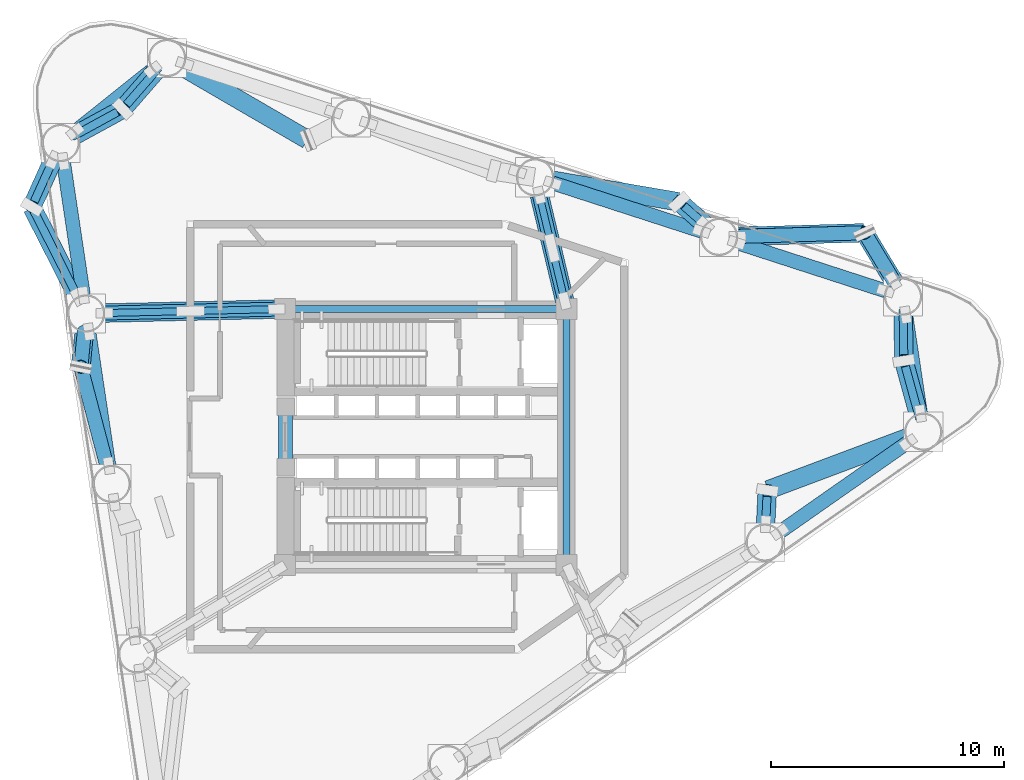
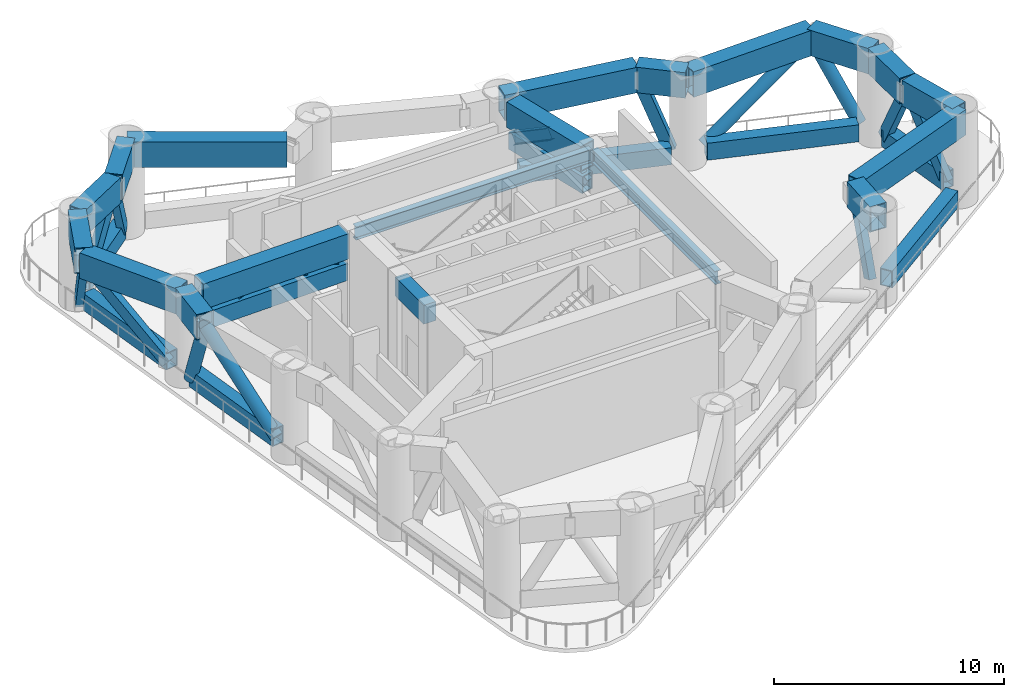
# One storey, part 2 of 8: 25 members, 19 beams.
"""IFC4 building model written with IfcOpenShell, lengths in metres."""

from ifc_helpers import new_model, si_unit, direction, frame, origin, origin_2d, place, context, subcontext, project, spatial, rectangle, hollow_rectangle, hollow_circle, i_section, extrude, source, transform, mapped, material, material_profile, profile_set, type_object, element, save


model = new_model("IFC4")

# Units and contexts
model_context = context("Model", 3, precision=1e-05, world=origin(), true_north=direction((0.0, 1.0)))
body_context = subcontext(model_context, "Body", "Model", "MODEL_VIEW")
ifc_project = project(units=[si_unit("LENGTHUNIT", "METRE"), si_unit("AREAUNIT", "SQUARE_METRE"), si_unit("VOLUMEUNIT", "CUBIC_METRE"), si_unit("PLANEANGLEUNIT", "RADIAN"), si_unit("MASSUNIT", "GRAM", prefix="KILO")], contexts=[model_context])

# Site, building, storey
site_placement = place(None, origin())
site = spatial("IfcSite", under=ifc_project, at=site_placement, CompositionType="ELEMENT")
building_placement = place(site_placement, origin())
building = spatial("IfcBuilding", under=site, at=building_placement, Name="Yunling Apex Tower", CompositionType="ELEMENT")
storey_placement = place(building_placement, frame((0.0, 0.0, 84.800048828125)))
storey = spatial("IfcBuildingStorey", under=building, at=storey_placement, Name="RF2", CompositionType="ELEMENT", Elevation=84.800048828125)

# Beams
ifc_material_1 = material(Name="Concrete C60", Category="concrete")
ifc_material_profile_1 = material_profile(ifc_material_1, rectangle(XDim=0.60009765625, YDim=1.0, at=origin_2d()))
ifc_profile_set_1 = profile_set([ifc_material_profile_1], Name="Concrete C60")
beam_type_1 = type_object("IfcBeamType", Name="BC-CPL-1", PredefinedType="BEAM", material=ifc_profile_set_1)
shared_shape_1 = source(origin(), body_context, "Body", "SweptSolid", [
    extrude(rectangle(XDim=0.60009765625, YDim=1.0, at=origin_2d()), origin(), (0.0, 0.0, 1.0), 2.5),
])
beam_1_placement = place(storey_placement, frame((-6.02490234375, -1.25, 4.4150390625), z_axis=(0.0, 1.0, 0.0), x_axis=(-1.0, 0.0, 0.0)))
element("IfcBeam", 1, at=beam_1_placement, inside=storey, type_object=beam_type_1, Name="RF2 Core West Portal Coupling Beam", PredefinedType="BEAM", context=body_context, shape_type="MappedRepresentation", body=[
    mapped(shared_shape_1, transform((0.0, 0.0, 0.0), scale=1.0)),
])
ifc_material_2 = material(Name="Steel Q355B", Category="steel")
ifc_material_profile_2 = material_profile(ifc_material_2, i_section(OverallWidth=0.300048828125, OverallDepth=0.699951171875, WebThickness=0.012939453125, FlangeThickness=0.02392578125, FilletRadius=0.02587890625, at=origin_2d()))
ifc_profile_set_2 = profile_set([ifc_material_profile_2], Name="Steel Q355B")
beam_type_2 = type_object("IfcBeamType", Name="BG-PRI-3", PredefinedType="USERDEFINED", material=ifc_profile_set_2)
shared_shape_2 = source(origin(), body_context, "Body", "SweptSolid", [
    extrude(i_section(OverallWidth=0.300048828125, OverallDepth=0.699951171875, WebThickness=0.012939453125, FlangeThickness=0.02392578125, FilletRadius=0.02587890625, at=origin_2d()), origin(), (0.0, 0.0, 1.0), 11.7998046875),
])
beam_2_placement = place(storey_placement, frame((5.89990234375, 5.5, 4.56494140625), z_axis=(-1.0, 0.0, 0.0), x_axis=(0.0, -1.0, 0.0)))
element("IfcBeam", 2, at=beam_2_placement, inside=storey, type_object=beam_type_2, Name="RF2 Core Ring Tie Beam 3", ObjectType="GIRDER", PredefinedType="USERDEFINED", context=body_context, shape_type="MappedRepresentation", body=[
    mapped(shared_shape_2, transform((0.0, 0.0, 0.0), scale=1.0)),
])
shared_shape_3 = source(origin(), body_context, "Body", "SweptSolid", [
    extrude(i_section(OverallWidth=0.300048828125, OverallDepth=0.699951171875, WebThickness=0.012939453125, FlangeThickness=0.02392578125, FilletRadius=0.02587890625, at=origin_2d()), origin(), (0.0, 0.0, 1.0), 10.7001953125),
])
beam_3_placement = place(storey_placement, frame((6.050048828125, -5.35009765625, 4.56494140625), z_axis=(0.0, 1.0, 0.0), x_axis=(-1.0, 0.0, 0.0)))
element("IfcBeam", 3, at=beam_3_placement, inside=storey, type_object=beam_type_2, Name="RF2 Core Ring Tie Beam 2", ObjectType="GIRDER", PredefinedType="USERDEFINED", context=body_context, shape_type="MappedRepresentation", body=[
    mapped(shared_shape_3, transform((0.0, 0.0, 0.0), scale=1.0)),
])

# Members
ifc_material_3 = material(Name="Steel Q390GJC", Category="steel")
ifc_material_profile_3 = material_profile(ifc_material_3, hollow_rectangle(XDim=0.60009765625, YDim=0.89990234375, WallThickness=0.0419921875, at=origin_2d()))
ifc_profile_set_3 = profile_set([ifc_material_profile_3], Name="Steel Q390GJC")
member_type_1 = type_object("IfcMemberType", Name="BT-CHD-1", PredefinedType="CHORD", material=ifc_profile_set_3)
shared_shape_4 = source(origin(), body_context, "Body", "SweptSolid", [
    extrude(hollow_rectangle(XDim=0.60009765625, YDim=0.89990234375, WallThickness=0.0419921875, at=origin_2d()), origin(), (0.0, 0.0, 1.0), 6.72509765625),
])
for number, where, z_axis, x_axis, name in (
    (4, (15.210693359375, -4.081787109375, 0.550048828125), (0.819530270202, 0.573035894358, 0.0), (-0.573035894358, 0.819530270202, 0.0), "RF2 Belt-Truss Bottom Chord 4"),
    (5, (19.75, 6.276611328125, 0.550048828125), (-0.951271754221, 0.308353773483, 0.0), (-0.308353773483, -0.951271754221, 0.0), "RF2 Belt-Truss Bottom Chord 6"),
    (6, (11.845703125, 8.8388671875, 0.550048828125), (-0.951271754221, 0.308353773483, 0.0), (-0.308353773483, -0.951271754221, 0.0), "RF2 Belt-Truss Bottom Chord 7"),
):
    element("IfcMember", number, at=place(storey_placement, frame(where, z_axis=z_axis, x_axis=x_axis)), inside=storey, type_object=member_type_1, Name=name, PredefinedType="CHORD", context=body_context, shape_type="MappedRepresentation", body=[
        mapped(shared_shape_4, transform((0.0, 0.0, 0.0), scale=1.0)),
    ])
shared_shape_5 = source(origin(), body_context, "Body", "SweptSolid", [
    extrude(hollow_rectangle(XDim=0.60009765625, YDim=0.89990234375, WallThickness=0.0419921875, at=origin_2d()), origin(), (0.0, 0.0, 1.0), 4.287109375),
])
member_1_placement = place(storey_placement, frame((21.254150390625, 1.009033203125, 0.550048828125), z_axis=(-0.147780693372, 0.989020154833, 0.0), x_axis=(-0.989020154833, -0.147780693372, 0.0)))
element("IfcMember", 7, at=member_1_placement, inside=storey, type_object=member_type_1, Name="RF2 Belt-Truss Bottom Chord 5", PredefinedType="CHORD", context=body_context, shape_type="MappedRepresentation", body=[
    mapped(shared_shape_5, transform((0.0, 0.0, 0.0), scale=1.0)),
])
shared_shape_6 = source(origin(), body_context, "Body", "SweptSolid", [
    extrude(hollow_rectangle(XDim=0.60009765625, YDim=0.89990234375, WallThickness=0.0419921875, at=origin_2d()), origin(), (0.0, 0.0, 1.0), 4.269775390625),
])
member_2_placement = place(storey_placement, frame((-11.73291015625, 15.787109375, 0.550048828125), z_axis=(-0.781571190786, -0.623816057611, 0.0), x_axis=(0.623816057611, -0.781571190786, 0.0)))
element("IfcMember", 8, at=member_2_placement, inside=storey, type_object=member_type_1, Name="RF2 Belt-Truss Bottom Chord 10", PredefinedType="CHORD", context=body_context, shape_type="MappedRepresentation", body=[
    mapped(shared_shape_6, transform((0.0, 0.0, 0.0), scale=1.0)),
])
shared_shape_7 = source(origin(), body_context, "Body", "SweptSolid", [
    extrude(hollow_rectangle(XDim=0.60009765625, YDim=0.89990234375, WallThickness=0.0419921875, at=origin_2d()), origin(), (0.0, 0.0, 1.0), 5.821044921875),
])
for number, where, z_axis, x_axis, name in (
    (9, (-15.572021484375, 11.84619140625, 0.550048828125), (0.147801039457, -0.989017114481, 0.0), (0.989017114481, 0.147801039457, 0.0), "RF2 Belt-Truss Bottom Chord 11"),
    (10, (-14.4775390625, 4.522705078125, 0.550048828125), (0.147801039457, -0.989017114481, 0.0), (0.989017114481, 0.147801039457, 0.0), "RF2 Belt-Truss Bottom Chord 12"),
):
    element("IfcMember", number, at=place(storey_placement, frame(where, z_axis=z_axis, x_axis=x_axis)), inside=storey, type_object=member_type_1, Name=name, PredefinedType="CHORD", context=body_context, shape_type="MappedRepresentation", body=[
        mapped(shared_shape_7, transform((0.0, 0.0, 0.0), scale=1.0)),
    ])

# Beams
ifc_material_profile_4 = material_profile(ifc_material_3, hollow_rectangle(XDim=0.800048828125, YDim=1.35009765625, WallThickness=0.050048828125, at=origin_2d()))
ifc_profile_set_4 = profile_set([ifc_material_profile_4], Name="Steel Q390GJC")
beam_type_3 = type_object("IfcBeamType", Name="BTRNG-1", PredefinedType="USERDEFINED", material=ifc_profile_set_4)
shared_shape_8 = source(origin(), body_context, "Body", "SweptSolid", [
    extrude(hollow_rectangle(XDim=0.800048828125, YDim=1.35009765625, WallThickness=0.050048828125, at=origin_2d()), origin(), (0.0, 0.0, 1.0), 2.171142578125),
])
beam_4_placement = place(storey_placement, frame((14.5634765625, -4.49560546875, 4.239990234375), z_axis=(0.049477719, 0.998775227628, 0.0), x_axis=(-0.998775227628, 0.049477719, 0.0)))
element("IfcBeam", 11, at=beam_4_placement, inside=storey, type_object=beam_type_3, Name="RF2 Panel-Split Box Ring Transfer Girder 13", ObjectType="GIRDER", PredefinedType="USERDEFINED", context=body_context, shape_type="MappedRepresentation", body=[
    mapped(shared_shape_8, transform((0.0, 0.0, 0.0), scale=1.0)),
])
shared_shape_9 = source(origin(), body_context, "Body", "SweptSolid", [
    extrude(hollow_rectangle(XDim=0.800048828125, YDim=1.35009765625, WallThickness=0.050048828125, at=origin_2d()), origin(), (0.0, 0.0, 1.0), 7.074462890625),
])
beam_5_placement = place(storey_placement, frame((14.710205078125, -2.273193359375, 4.239990234375), z_axis=(0.936269598044, 0.35128227934, 0.0), x_axis=(-0.35128227934, 0.936269598044, 0.0)))
element("IfcBeam", 12, at=beam_5_placement, inside=storey, type_object=beam_type_3, Name="RF2 Panel-Split Box Ring Transfer Girder 14", ObjectType="GIRDER", PredefinedType="USERDEFINED", context=body_context, shape_type="MappedRepresentation", body=[
    mapped(shared_shape_9, transform((0.0, 0.0, 0.0), scale=1.0)),
])
shared_shape_10 = source(origin(), body_context, "Body", "SweptSolid", [
    extrude(hollow_rectangle(XDim=0.800048828125, YDim=1.35009765625, WallThickness=0.050048828125, at=origin_2d()), origin(), (0.0, 0.0, 1.0), 3.07666015625),
])
beam_6_placement = place(storey_placement, frame((21.360595703125, 0.264404296875, 4.239990234375), z_axis=(-0.26407741272, 0.964501487864, 0.0), x_axis=(-0.964501487864, -0.26407741272, 0.0)))
element("IfcBeam", 13, at=beam_6_placement, inside=storey, type_object=beam_type_3, Name="RF2 Panel-Split Box Ring Transfer Girder 15", ObjectType="GIRDER", PredefinedType="USERDEFINED", context=body_context, shape_type="MappedRepresentation", body=[
    mapped(shared_shape_10, transform((0.0, 0.0, 0.0), scale=1.0)),
])
shared_shape_11 = source(origin(), body_context, "Body", "SweptSolid", [
    extrude(hollow_rectangle(XDim=0.800048828125, YDim=1.35009765625, WallThickness=0.050048828125, at=origin_2d()), origin(), (0.0, 0.0, 1.0), 2.68212890625),
])
beam_7_placement = place(storey_placement, frame((20.537109375, 3.310546875, 4.239990234375), z_axis=(-0.012379570173, 0.999923370185, 0.0), x_axis=(-0.999923370185, -0.012379570173, 0.0)))
element("IfcBeam", 14, at=beam_7_placement, inside=storey, type_object=beam_type_3, Name="RF2 Panel-Split Box Ring Transfer Girder 16", ObjectType="GIRDER", PredefinedType="USERDEFINED", context=body_context, shape_type="MappedRepresentation", body=[
    mapped(shared_shape_11, transform((0.0, 0.0, 0.0), scale=1.0)),
])
shared_shape_12 = source(origin(), body_context, "Body", "SweptSolid", [
    extrude(hollow_rectangle(XDim=0.800048828125, YDim=1.35009765625, WallThickness=0.050048828125, at=origin_2d()), origin(), (0.0, 0.0, 1.0), 3.1181640625),
])
beam_8_placement = place(storey_placement, frame((20.48291015625, 6.066650390625, 4.239990234375), z_axis=(-0.515416577293, 0.856939759756, 0.0), x_axis=(-0.856939759756, -0.515416577293, 0.0)))
element("IfcBeam", 15, at=beam_8_placement, inside=storey, type_object=beam_type_3, Name="RF2 Panel-Split Box Ring Transfer Girder 17", ObjectType="GIRDER", PredefinedType="USERDEFINED", context=body_context, shape_type="MappedRepresentation", body=[
    mapped(shared_shape_12, transform((0.0, 0.0, 0.0), scale=1.0)),
])
shared_shape_13 = source(origin(), body_context, "Body", "SweptSolid", [
    extrude(hollow_rectangle(XDim=0.800048828125, YDim=1.35009765625, WallThickness=0.050048828125, at=origin_2d()), origin(), (0.0, 0.0, 1.0), 6.178466796875),
])
beam_9_placement = place(storey_placement, frame((18.815185546875, 8.77197265625, 4.239990234375), z_axis=(-0.999592956213, -0.028529316298, 0.0), x_axis=(0.028529316298, -0.999592956213, 0.0)))
element("IfcBeam", 16, at=beam_9_placement, inside=storey, type_object=beam_type_3, Name="RF2 Panel-Split Box Ring Transfer Girder 18", ObjectType="GIRDER", PredefinedType="USERDEFINED", context=body_context, shape_type="MappedRepresentation", body=[
    mapped(shared_shape_13, transform((0.0, 0.0, 0.0), scale=1.0)),
])
shared_shape_14 = source(origin(), body_context, "Body", "SweptSolid", [
    extrude(hollow_rectangle(XDim=0.800048828125, YDim=1.35009765625, WallThickness=0.050048828125, at=origin_2d()), origin(), (0.0, 0.0, 1.0), 2.201904296875),
])
beam_10_placement = place(storey_placement, frame((12.569091796875, 8.62109375, 4.239990234375), z_axis=(-0.751104916435, 0.660182856872, 0.0), x_axis=(-0.660182856872, -0.751104916435, 0.0)))
element("IfcBeam", 17, at=beam_10_placement, inside=storey, type_object=beam_type_3, Name="RF2 Panel-Split Box Ring Transfer Girder 19", ObjectType="GIRDER", PredefinedType="USERDEFINED", context=body_context, shape_type="MappedRepresentation", body=[
    mapped(shared_shape_14, transform((0.0, 0.0, 0.0), scale=1.0)),
])
shared_shape_15 = source(origin(), body_context, "Body", "SweptSolid", [
    extrude(hollow_rectangle(XDim=0.800048828125, YDim=1.35009765625, WallThickness=0.050048828125, at=origin_2d()), origin(), (0.0, 0.0, 1.0), 6.2001953125),
])
beam_11_placement = place(storey_placement, frame((10.845947265625, 10.107666015625, 4.239990234375), z_axis=(-0.985763180281, 0.168139681226, 0.0), x_axis=(-0.168139681226, -0.985763180281, 0.0)))
element("IfcBeam", 18, at=beam_11_placement, inside=storey, type_object=beam_type_3, Name="RF2 Panel-Split Box Ring Transfer Girder 20", ObjectType="GIRDER", PredefinedType="USERDEFINED", context=body_context, shape_type="MappedRepresentation", body=[
    mapped(shared_shape_15, transform((0.0, 0.0, 0.0), scale=1.0)),
])
shared_shape_16 = source(origin(), body_context, "Body", "SweptSolid", [
    extrude(hollow_rectangle(XDim=0.800048828125, YDim=1.35009765625, WallThickness=0.050048828125, at=origin_2d()), origin(), (0.0, 0.0, 1.0), 6.9296875),
])
beam_12_placement = place(storey_placement, frame((-5.089111328125, 12.777099609375, 4.239990234375), z_axis=(-0.864417102749, 0.502775369797, 0.0), x_axis=(-0.502775369797, -0.864417102749, 0.0)))
element("IfcBeam", 19, at=beam_12_placement, inside=storey, type_object=beam_type_3, Name="RF2 Panel-Split Box Ring Transfer Girder 24", ObjectType="GIRDER", PredefinedType="USERDEFINED", context=body_context, shape_type="MappedRepresentation", body=[
    mapped(shared_shape_16, transform((0.0, 0.0, 0.0), scale=1.0)),
])
shared_shape_17 = source(origin(), body_context, "Body", "SweptSolid", [
    extrude(hollow_rectangle(XDim=0.800048828125, YDim=1.35009765625, WallThickness=0.050048828125, at=origin_2d()), origin(), (0.0, 0.0, 1.0), 2.830810546875),
])
beam_13_placement = place(storey_placement, frame((-11.140380859375, 16.251220703125, 4.239990234375), z_axis=(-0.656236364242, -0.754555388455, 0.0), x_axis=(0.754555388455, -0.656236364242, 0.0)))
element("IfcBeam", 20, at=beam_13_placement, inside=storey, type_object=beam_type_3, Name="RF2 Panel-Split Box Ring Transfer Girder 25", ObjectType="GIRDER", PredefinedType="USERDEFINED", context=body_context, shape_type="MappedRepresentation", body=[
    mapped(shared_shape_17, transform((0.0, 0.0, 0.0), scale=1.0)),
])
shared_shape_18 = source(origin(), body_context, "Body", "SweptSolid", [
    extrude(hollow_rectangle(XDim=0.800048828125, YDim=1.35009765625, WallThickness=0.050048828125, at=origin_2d()), origin(), (0.0, 0.0, 1.0), 2.95654296875),
])
beam_14_placement = place(storey_placement, frame((-13.059326171875, 14.06591796875, 4.239990234375), z_axis=(-0.87762087558, -0.479355399204, 0.0), x_axis=(0.479355399204, -0.87762087558, 0.0)))
element("IfcBeam", 21, at=beam_14_placement, inside=storey, type_object=beam_type_3, Name="RF2 Panel-Split Box Ring Transfer Girder 26", ObjectType="GIRDER", PredefinedType="USERDEFINED", context=body_context, shape_type="MappedRepresentation", body=[
    mapped(shared_shape_18, transform((0.0, 0.0, 0.0), scale=1.0)),
])
shared_shape_19 = source(origin(), body_context, "Body", "SweptSolid", [
    extrude(hollow_rectangle(XDim=0.800048828125, YDim=1.35009765625, WallThickness=0.050048828125, at=origin_2d()), origin(), (0.0, 0.0, 1.0), 2.932373046875),
])
beam_15_placement = place(storey_placement, frame((-15.70556640625, 12.593017578125, 4.239990234375), z_axis=(-0.411122675458, -0.911580027054, 0.0), x_axis=(0.911580027054, -0.411122675458, 0.0)))
element("IfcBeam", 22, at=beam_15_placement, inside=storey, type_object=beam_type_3, Name="RF2 Panel-Split Box Ring Transfer Girder 27", ObjectType="GIRDER", PredefinedType="USERDEFINED", context=body_context, shape_type="MappedRepresentation", body=[
    mapped(shared_shape_19, transform((0.0, 0.0, 0.0), scale=1.0)),
])
shared_shape_20 = source(origin(), body_context, "Body", "SweptSolid", [
    extrude(hollow_rectangle(XDim=0.800048828125, YDim=1.35009765625, WallThickness=0.050048828125, at=origin_2d()), origin(), (0.0, 0.0, 1.0), 5.0576171875),
])
beam_16_placement = place(storey_placement, frame((-16.909423828125, 9.84765625, 4.239990234375), z_axis=(0.454093537926, -0.890954016105, 0.0), x_axis=(0.890954016105, 0.454093537926, 0.0)))
element("IfcBeam", 23, at=beam_16_placement, inside=storey, type_object=beam_type_3, Name="RF2 Panel-Split Box Ring Transfer Girder 28", ObjectType="GIRDER", PredefinedType="USERDEFINED", context=body_context, shape_type="MappedRepresentation", body=[
    mapped(shared_shape_20, transform((0.0, 0.0, 0.0), scale=1.0)),
])
shared_shape_21 = source(origin(), body_context, "Body", "SweptSolid", [
    extrude(hollow_rectangle(XDim=0.800048828125, YDim=1.35009765625, WallThickness=0.050048828125, at=origin_2d()), origin(), (0.0, 0.0, 1.0), 2.239501953125),
])
beam_17_placement = place(storey_placement, frame((-14.598388671875, 5.26611328125, 4.239990234375), z_axis=(-0.098327202734, -0.995154139419, 0.0), x_axis=(0.995154139419, -0.098327202734, 0.0)))
element("IfcBeam", 24, at=beam_17_placement, inside=storey, type_object=beam_type_3, Name="RF2 Panel-Split Box Ring Transfer Girder 29", ObjectType="GIRDER", PredefinedType="USERDEFINED", context=body_context, shape_type="MappedRepresentation", body=[
    mapped(shared_shape_21, transform((0.0, 0.0, 0.0), scale=1.0)),
])

# Members
ifc_material_profile_5 = material_profile(ifc_material_2, hollow_rectangle(XDim=0.35009765625, YDim=0.550048828125, WallThickness=0.02587890625, at=origin_2d()))
ifc_profile_set_5 = profile_set([ifc_material_profile_5], Name="Steel Q355B")
member_type_2 = type_object("IfcMemberType", Name="BR-BLT-1", PredefinedType="BRACE", material=ifc_profile_set_5)
shared_shape_22 = source(origin(), body_context, "Body", "SweptSolid", [
    extrude(hollow_rectangle(XDim=0.35009765625, YDim=0.550048828125, WallThickness=0.02587890625, at=origin_2d()), origin(), (0.0, 0.0, 1.0), 3.96142578125),
])
member_3_placement = place(storey_placement, frame((14.6005859375, -3.74658203125, 0.550048828125), z_axis=(0.017995877547, 0.363368815128, 0.931471552214), x_axis=(-0.998775883514, 0.04946447727, 0.0)))
element("IfcMember", 25, at=member_3_placement, inside=storey, type_object=member_type_2, Name="RF2 Belt-Truss Diagonal 4-1", PredefinedType="BRACE", context=body_context, shape_type="MappedRepresentation", body=[
    mapped(shared_shape_22, transform((0.0, 0.0, 0.0), scale=1.0)),
])
shared_shape_23 = source(origin(), body_context, "Body", "SweptSolid", [
    extrude(hollow_rectangle(XDim=0.35009765625, YDim=0.550048828125, WallThickness=0.02587890625, at=origin_2d()), origin(), (0.0, 0.0, 1.0), 4.174560546875),
])
member_4_placement = place(storey_placement, frame((20.51318359375, 5.242431640625, 0.550048828125), z_axis=(0.005789940783, -0.467581581433, 0.883930959572), x_axis=(0.9999233427, 0.012381789985, 0.0)))
element("IfcMember", 26, at=member_4_placement, inside=storey, type_object=member_type_2, Name="RF2 Belt-Truss Diagonal 5-1", PredefinedType="BRACE", context=body_context, shape_type="MappedRepresentation", body=[
    mapped(shared_shape_23, transform((0.0, 0.0, 0.0), scale=1.0)),
])
shared_shape_24 = source(origin(), body_context, "Body", "SweptSolid", [
    extrude(hollow_rectangle(XDim=0.35009765625, YDim=0.550048828125, WallThickness=0.02587890625, at=origin_2d()), origin(), (0.0, 0.0, 1.0), 4.373046875),
])
member_5_placement = place(storey_placement, frame((21.16259765625, 0.98779296875, 0.550048828125), z_axis=(-0.141695781228, 0.517597158298, 0.843810101447), x_axis=(-0.964511292916, -0.264041598686, 0.0)))
element("IfcMember", 27, at=member_5_placement, inside=storey, type_object=member_type_2, Name="RF2 Belt-Truss Diagonal 5-2", PredefinedType="BRACE", context=body_context, shape_type="MappedRepresentation", body=[
    mapped(shared_shape_24, transform((0.0, 0.0, 0.0), scale=1.0)),
])
ifc_material_profile_6 = material_profile(ifc_material_2, hollow_circle(Radius=0.304931640625, WallThickness=0.02392578125, at=origin_2d()))
ifc_profile_set_6 = profile_set([ifc_material_profile_6], Name="Steel Q355B")
member_type_3 = type_object("IfcMemberType", Name="BR-PER-1", PredefinedType="BRACE", material=ifc_profile_set_6)
shared_shape_25 = source(origin(), body_context, "Body", "SweptSolid", [
    extrude(hollow_circle(Radius=0.304931640625, WallThickness=0.02392578125, at=origin_2d()), origin(), (0.0, 0.0, 1.0), 4.395263671875),
])
member_6_placement = place(storey_placement, frame((20.09619140625, 6.70947265625, 0.550048828125), z_axis=(-0.280011223522, 0.465592952899, 0.839533749716), x_axis=(-0.856960227068, -0.515382546487, 0.0)))
element("IfcMember", 28, at=member_6_placement, inside=storey, type_object=member_type_3, Name="RF2 Belt-Truss Diagonal 6-1", PredefinedType="BRACE", context=body_context, shape_type="MappedRepresentation", body=[
    mapped(shared_shape_25, transform((0.0, 0.0, 0.0), scale=1.0)),
])
shared_shape_26 = source(origin(), body_context, "Body", "SweptSolid", [
    extrude(hollow_circle(Radius=0.304931640625, WallThickness=0.02392578125, at=origin_2d()), origin(), (0.0, 0.0, 1.0), 6.580322265625),
])
member_7_placement = place(storey_placement, frame((13.388916015625, 8.6171875, 0.550048828125), z_axis=(0.82765149234, 0.023596303977, 0.560746129426), x_axis=(-0.028498371954, 0.999593838915, 0.0)))
element("IfcMember", 29, at=member_7_placement, inside=storey, type_object=member_type_3, Name="RF2 Belt-Truss Diagonal 6-2", PredefinedType="BRACE", context=body_context, shape_type="MappedRepresentation", body=[
    mapped(shared_shape_26, transform((0.0, 0.0, 0.0), scale=1.0)),
])
shared_shape_27 = source(origin(), body_context, "Body", "SweptSolid", [
    extrude(hollow_rectangle(XDim=0.35009765625, YDim=0.550048828125, WallThickness=0.02587890625, at=origin_2d()), origin(), (0.0, 0.0, 1.0), 3.97265625),
])
member_8_placement = place(storey_placement, frame((12.005615234375, 9.1162109375, 0.550048828125), z_axis=(-0.278213669671, 0.244596952792, 0.928853855401), x_axis=(-0.660276279067, -0.751022792798, 0.0)))
element("IfcMember", 30, at=member_8_placement, inside=storey, type_object=member_type_2, Name="RF2 Belt-Truss Diagonal 7-1", PredefinedType="BRACE", context=body_context, shape_type="MappedRepresentation", body=[
    mapped(shared_shape_27, transform((0.0, 0.0, 0.0), scale=1.0)),
])
shared_shape_28 = source(origin(), body_context, "Body", "SweptSolid", [
    extrude(hollow_rectangle(XDim=0.35009765625, YDim=0.550048828125, WallThickness=0.02587890625, at=origin_2d()), origin(), (0.0, 0.0, 1.0), 4.24609375),
])
member_9_placement = place(storey_placement, frame((-11.632568359375, 15.685302734375, 0.550048828125), z_axis=(-0.324690054497, -0.373333189986, 0.869021690043), x_axis=(0.754552981215, -0.65623913213, 0.0)))
element("IfcMember", 31, at=member_9_placement, inside=storey, type_object=member_type_2, Name="RF2 Belt-Truss Diagonal 10-1", PredefinedType="BRACE", context=body_context, shape_type="MappedRepresentation", body=[
    mapped(shared_shape_28, transform((0.0, 0.0, 0.0), scale=1.0)),
])
shared_shape_29 = source(origin(), body_context, "Body", "SweptSolid", [
    extrude(hollow_rectangle(XDim=0.35009765625, YDim=0.550048828125, WallThickness=0.02587890625, at=origin_2d()), origin(), (0.0, 0.0, 1.0), 4.3095703125),
])
member_10_placement = place(storey_placement, frame((-14.995849609375, 13.00830078125, 0.550048828125), z_axis=(0.4533810863, 0.247623232315, 0.856229131368), x_axis=(-0.479336110899, 0.877631410552, 0.0)))
element("IfcMember", 32, at=member_10_placement, inside=storey, type_object=member_type_2, Name="RF2 Belt-Truss Diagonal 10-2", PredefinedType="BRACE", context=body_context, shape_type="MappedRepresentation", body=[
    mapped(shared_shape_29, transform((0.0, 0.0, 0.0), scale=1.0)),
])
shared_shape_30 = source(origin(), body_context, "Body", "SweptSolid", [
    extrude(hollow_rectangle(XDim=0.35009765625, YDim=0.550048828125, WallThickness=0.02587890625, at=origin_2d()), origin(), (0.0, 0.0, 1.0), 4.297119140625),
])
member_11_placement = place(storey_placement, frame((-16.013916015625, 11.9091796875, 0.550048828125), z_axis=(-0.210722512382, -0.467180161584, 0.858684295535), x_axis=(0.91156231755, -0.411161940386, 0.0)))
element("IfcMember", 33, at=member_11_placement, inside=storey, type_object=member_type_2, Name="RF2 Belt-Truss Diagonal 11-1", PredefinedType="BRACE", context=body_context, shape_type="MappedRepresentation", body=[
    mapped(shared_shape_30, transform((0.0, 0.0, 0.0), scale=1.0)),
])
shared_shape_31 = source(origin(), body_context, "Body", "SweptSolid", [
    extrude(hollow_rectangle(XDim=0.35009765625, YDim=0.550048828125, WallThickness=0.02587890625, at=origin_2d()), origin(), (0.0, 0.0, 1.0), 5.687255859375),
])
member_12_placement = place(storey_placement, frame((-14.953369140625, 6.009765625, 0.550048828125), z_axis=(-0.345530769438, 0.677968373927, 0.64881998376), x_axis=(-0.890959405189, -0.454082964121, 0.0)))
element("IfcMember", 34, at=member_12_placement, inside=storey, type_object=member_type_2, Name="RF2 Belt-Truss Diagonal 11-2", PredefinedType="BRACE", context=body_context, shape_type="MappedRepresentation", body=[
    mapped(shared_shape_31, transform((0.0, 0.0, 0.0), scale=1.0)),
])
shared_shape_32 = source(origin(), body_context, "Body", "SweptSolid", [
    extrude(hollow_circle(Radius=0.304931640625, WallThickness=0.02392578125, at=origin_2d()), origin(), (0.0, 0.0, 1.0), 3.98681640625),
])
member_13_placement = place(storey_placement, frame((-14.672119140625, 4.519775390625, 0.550048828125), z_axis=(-0.037171411971, -0.376796866321, 0.925549786701), x_axis=(0.995169215292, -0.098174502467, 0.0)))
element("IfcMember", 35, at=member_13_placement, inside=storey, type_object=member_type_3, Name="RF2 Belt-Truss Diagonal 12-1", PredefinedType="BRACE", context=body_context, shape_type="MappedRepresentation", body=[
    mapped(shared_shape_32, transform((0.0, 0.0, 0.0), scale=1.0)),
])
shared_shape_33 = source(origin(), body_context, "Body", "SweptSolid", [
    extrude(hollow_circle(Radius=0.304931640625, WallThickness=0.02392578125, at=origin_2d()), origin(), (0.0, 0.0, 1.0), 5.724609375),
])
member_14_placement = place(storey_placement, frame((-13.701416015625, -1.253662109375, 0.550048828125), z_axis=(-0.194944500987, 0.739262301491, 0.644583502061), x_axis=(-0.966945070612, -0.254984765073, 0.0)))
element("IfcMember", 36, at=member_14_placement, inside=storey, type_object=member_type_3, Name="RF2 Belt-Truss Diagonal 12-2", PredefinedType="BRACE", context=body_context, shape_type="MappedRepresentation", body=[
    mapped(shared_shape_33, transform((0.0, 0.0, 0.0), scale=1.0)),
])

# Beam
shared_shape_34 = source(origin(), body_context, "Body", "SweptSolid", [
    extrude(hollow_rectangle(XDim=0.800048828125, YDim=1.35009765625, WallThickness=0.050048828125, at=origin_2d()), origin(), (0.0, 0.0, 1.0), 4.666748046875),
])
beam_18_placement = place(storey_placement, frame((5.966064453125, 5.85009765625, 4.239990234375), z_axis=(-0.232959396276, 0.97248646247, 0.0), x_axis=(-0.97248646247, -0.232959396276, 0.0)))
element("IfcBeam", 37, at=beam_18_placement, inside=storey, type_object=beam_type_3, Name="RF2 Radial Outrigger Top Girder 3", ObjectType="GIRDER", PredefinedType="USERDEFINED", context=body_context, shape_type="MappedRepresentation", body=[
    mapped(shared_shape_34, transform((0.0, 0.0, 0.0), scale=1.0)),
])

# Members
shared_shape_35 = source(origin(), body_context, "Body", "SweptSolid", [
    extrude(hollow_rectangle(XDim=0.60009765625, YDim=0.89990234375, WallThickness=0.0419921875, at=origin_2d()), origin(), (0.0, 0.0, 1.0), 4.666748046875),
])
member_15_placement = place(storey_placement, frame((5.966064453125, 5.85009765625, 2.820068359375), z_axis=(-0.232959396276, 0.97248646247, 0.0), x_axis=(-0.97248646247, -0.232959396276, 0.0)))
element("IfcMember", 38, at=member_15_placement, inside=storey, type_object=member_type_1, Name="RF2 Radial Outrigger Lower Chord 3", PredefinedType="CHORD", context=body_context, shape_type="MappedRepresentation", body=[
    mapped(shared_shape_35, transform((0.0, 0.0, 0.0), scale=1.0)),
])
ifc_material_profile_7 = material_profile(ifc_material_2, i_section(OverallWidth=0.300048828125, OverallDepth=0.590087890625, WebThickness=0.011962890625, FlangeThickness=0.02001953125, FilletRadius=0.02392578125, at=origin_2d()))
ifc_profile_set_7 = profile_set([ifc_material_profile_7], Name="Steel Q355B")
member_type_4 = type_object("IfcMemberType", Name="BR-OUT-1", PredefinedType="BRACE", material=ifc_profile_set_7)
shared_shape_36 = source(origin(), body_context, "Body", "SweptSolid", [
    extrude(i_section(OverallWidth=0.300048828125, OverallDepth=0.590087890625, WebThickness=0.011962890625, FlangeThickness=0.02001953125, FilletRadius=0.02392578125, at=origin_2d()), origin(), (0.0, 0.0, 1.0), 2.7314453125),
])
for number, where, z_axis, x_axis, name in (
    (39, (5.966064453125, 5.85009765625, 2.820068359375), (-0.198957919269, 0.83077891267, 0.519828957083), (-0.972501151107, -0.232898070184, 0.0), "RF2 Outrigger Inner Diagonal 3A"),
    (40, (5.422607421875, 8.119384765625, 4.239990234375), (-0.19905853827, 0.830736441258, -0.519858310992), (-0.972471768828, -0.233020726187, 0.0), "RF2 Outrigger Outer Diagonal 3B"),
):
    element("IfcMember", number, at=place(storey_placement, frame(where, z_axis=z_axis, x_axis=x_axis)), inside=storey, type_object=member_type_4, Name=name, PredefinedType="BRACE", context=body_context, shape_type="MappedRepresentation", body=[
        mapped(shared_shape_36, transform((0.0, 0.0, 0.0), scale=1.0)),
    ])

# Beam
shared_shape_37 = source(origin(), body_context, "Body", "SweptSolid", [
    extrude(hollow_rectangle(XDim=0.800048828125, YDim=1.35009765625, WallThickness=0.050048828125, at=origin_2d()), origin(), (0.0, 0.0, 1.0), 7.396728515625),
])
beam_19_placement = place(storey_placement, frame((-6.409912109375, 5.49169921875, 4.239990234375), z_axis=(-0.999742125146, -0.022708659319, 0.0), x_axis=(0.022708659319, -0.999742125146, 0.0)))
element("IfcBeam", 41, at=beam_19_placement, inside=storey, type_object=beam_type_3, Name="RF2 Radial Outrigger Top Girder 4", ObjectType="GIRDER", PredefinedType="USERDEFINED", context=body_context, shape_type="MappedRepresentation", body=[
    mapped(shared_shape_37, transform((0.0, 0.0, 0.0), scale=1.0)),
])

# Members
shared_shape_38 = source(origin(), body_context, "Body", "SweptSolid", [
    extrude(hollow_rectangle(XDim=0.60009765625, YDim=0.89990234375, WallThickness=0.0419921875, at=origin_2d()), origin(), (0.0, 0.0, 1.0), 7.396728515625),
])
member_16_placement = place(storey_placement, frame((-6.409912109375, 5.49169921875, 2.820068359375), z_axis=(-0.999742125146, -0.022708659319, 0.0), x_axis=(0.022708659319, -0.999742125146, 0.0)))
element("IfcMember", 42, at=member_16_placement, inside=storey, type_object=member_type_1, Name="RF2 Radial Outrigger Lower Chord 4", PredefinedType="CHORD", context=body_context, shape_type="MappedRepresentation", body=[
    mapped(shared_shape_38, transform((0.0, 0.0, 0.0), scale=1.0)),
])
shared_shape_39 = source(origin(), body_context, "Body", "SweptSolid", [
    extrude(i_section(OverallWidth=0.300048828125, OverallDepth=0.590087890625, WebThickness=0.011962890625, FlangeThickness=0.02001953125, FilletRadius=0.02392578125, at=origin_2d()), origin(), (0.0, 0.0, 1.0), 3.961669921875),
])
member_17_placement = place(storey_placement, frame((-6.409912109375, 5.49169921875, 2.820068359375), z_axis=(-0.933321561138, -0.021199248401, 0.358415199708), x_axis=(0.022707909997, -0.999742142166, 0.0)))
element("IfcMember", 43, at=member_17_placement, inside=storey, type_object=member_type_4, Name="RF2 Outrigger Inner Diagonal 4A", PredefinedType="BRACE", context=body_context, shape_type="MappedRepresentation", body=[
    mapped(shared_shape_39, transform((0.0, 0.0, 0.0), scale=1.0)),
])
shared_shape_40 = source(origin(), body_context, "Body", "SweptSolid", [
    extrude(i_section(OverallWidth=0.300048828125, OverallDepth=0.590087890625, WebThickness=0.011962890625, FlangeThickness=0.02001953125, FilletRadius=0.02392578125, at=origin_2d()), origin(), (0.0, 0.0, 1.0), 3.96142578125),
])
member_18_placement = place(storey_placement, frame((-10.107421875, 5.40771484375, 4.239990234375), z_axis=(-0.933313616228, -0.021200467775, -0.358435815635), x_axis=(0.02270940869, -0.999742108124, 0.0)))
element("IfcMember", 44, at=member_18_placement, inside=storey, type_object=member_type_4, Name="RF2 Outrigger Outer Diagonal 4B", PredefinedType="BRACE", context=body_context, shape_type="MappedRepresentation", body=[
    mapped(shared_shape_40, transform((0.0, 0.0, 0.0), scale=1.0)),
])

save(model, "model.ifc")
